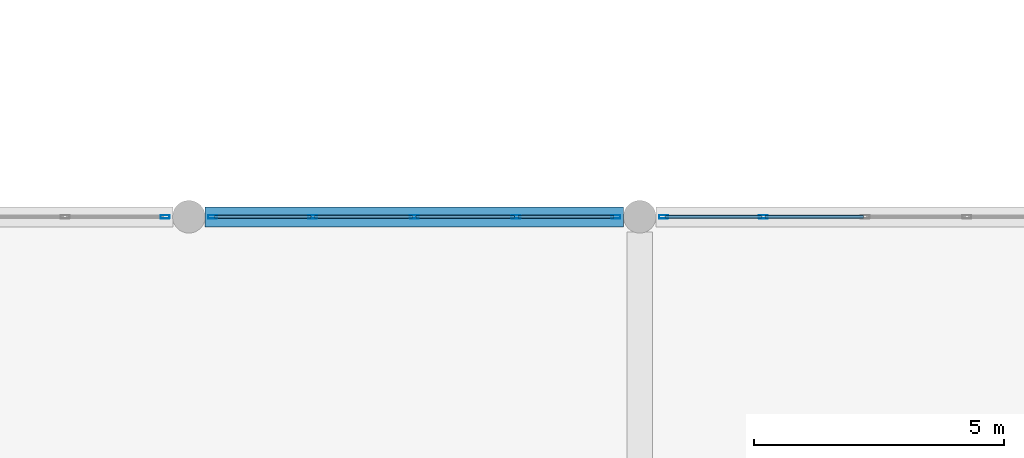
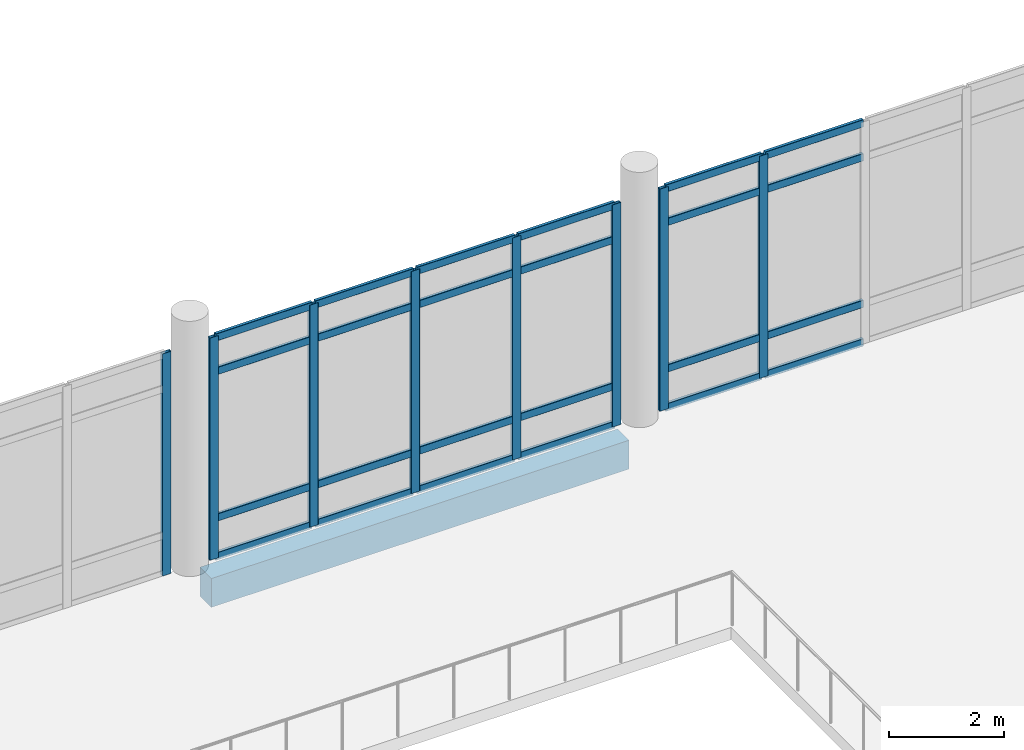
# One storey, part 44 of 180: 32 members, 1 beam, 3 elements without a shape of their own.
"""IFC4 building model written with IfcOpenShell, lengths in metres."""

from ifc_helpers import new_model, si_unit, direction, frame, origin, origin_2d, place, context, subcontext, project, spatial, rectangle, hollow_rectangle, extrude, material, material_profile, profile_set, type_object, element, aggregate, save


model = new_model("IFC4")

# Units and contexts
model_context = context("Model", 3, precision=1e-05, world=origin(), true_north=direction((0.0, 1.0)))
body_context = subcontext(model_context, "Body", "Model", "MODEL_VIEW")
ifc_project = project(units=[si_unit("LENGTHUNIT", "METRE"), si_unit("AREAUNIT", "SQUARE_METRE"), si_unit("VOLUMEUNIT", "CUBIC_METRE"), si_unit("PLANEANGLEUNIT", "RADIAN"), si_unit("MASSUNIT", "GRAM", prefix="KILO")], contexts=[model_context])

# Site, building, storey
site_placement = place(None, origin())
site = spatial("IfcSite", under=ifc_project, at=site_placement, CompositionType="ELEMENT")
building_placement = place(site_placement, origin())
building = spatial("IfcBuilding", under=site, at=building_placement, Name="Lusvemor Sports Hall", CompositionType="ELEMENT")
storey_placement = place(building_placement, frame((0.0, 0.0, 5.39990234375)))
storey = spatial("IfcBuildingStorey", under=building, at=storey_placement, Name="L01", CompositionType="ELEMENT", Elevation=5.39990234375)

# Curtain wall, member
ifc_material_1 = material(Name="Thermally broken bronze-anodized aluminium", Category="aluminium")
curtain_wall_type = type_object("IfcCurtainWallType", Name="CW_FOYER_A", PredefinedType="NOTDEFINED", material=ifc_material_1)
curtain_wall_1_placement = place(storey_placement, origin())
curtain_wall_1 = element("IfcCurtainWall", 1, at=curtain_wall_1_placement, inside=storey, type_object=curtain_wall_type, Name="Curtain Wall CW-V4N-L01-1", PredefinedType="NOTDEFINED")
ifc_material_2 = material(Name="Thermally broken bronze-anodized aluminium", Category="aluminium")
ifc_material_profile_1 = material_profile(ifc_material_2, hollow_rectangle(XDim=0.070068359375, YDim=0.179931640625, WallThickness=0.0048828125, InnerFilletRadius=0.0048828125, OuterFilletRadius=0.010009765625, at=origin_2d()), Name="CWMUL180x70x5")
ifc_profile_set_1 = profile_set([ifc_material_profile_1], Name="Thermally broken bronze-anodized aluminium")
member_type_1 = type_object("IfcMemberType", Name="CW_MUL_A", PredefinedType="MULLION", material=ifc_profile_set_1)
member_1_placement = place(storey_placement, frame((93.125, 28.800048828125, 0.0), z_axis=(0.0, 0.0, 1.0), x_axis=(0.0, 1.0, 0.0)))
member_1 = element("IfcMember", 2, at=member_1_placement, type_object=member_type_1, Name="CW01 mullion 5", PredefinedType="MULLION", context=body_context, shape_type="SweptSolid", body=[
    extrude(hollow_rectangle(XDim=0.070068359375, YDim=0.179931640625, WallThickness=0.0048828125, InnerFilletRadius=0.0048828125, OuterFilletRadius=0.010009765625, at=origin_2d()), origin(), (0.0, 0.0, 1.0), 4.7001953125),
])
aggregate(curtain_wall_1, [member_1])

# Curtain wall, members
curtain_wall_2_placement = place(storey_placement, origin())
curtain_wall_2 = element("IfcCurtainWall", 3, at=curtain_wall_2_placement, inside=storey, type_object=curtain_wall_type, Name="Curtain Wall CW-V4N-L01-2", PredefinedType="NOTDEFINED")
member_2_placement = place(storey_placement, frame((94.074951171875, 28.800048828125, 0.0), z_axis=(0.0, 0.0, 1.0), x_axis=(0.0, 1.0, 0.0)))
member_2 = element("IfcMember", 4, at=member_2_placement, type_object=member_type_1, Name="CW01 mullion 1", PredefinedType="MULLION", context=body_context, shape_type="SweptSolid", body=[
    extrude(hollow_rectangle(XDim=0.070068359375, YDim=0.179931640625, WallThickness=0.0048828125, InnerFilletRadius=0.0048828125, OuterFilletRadius=0.010009765625, at=origin_2d()), origin(), (0.0, 0.0, 1.0), 4.7001953125),
])
member_3_placement = place(storey_placement, frame((96.070068359375, 28.800048828125, 0.0), z_axis=(0.0, 0.0, 1.0), x_axis=(0.0, 1.0, 0.0)))
member_3 = element("IfcMember", 5, at=member_3_placement, type_object=member_type_1, Name="CW01 mullion 2", PredefinedType="MULLION", context=body_context, shape_type="SweptSolid", body=[
    extrude(hollow_rectangle(XDim=0.070068359375, YDim=0.179931640625, WallThickness=0.0048828125, InnerFilletRadius=0.0048828125, OuterFilletRadius=0.010009765625, at=origin_2d()), origin(), (0.0, 0.0, 1.0), 4.7001953125),
])
member_4_placement = place(storey_placement, frame((98.10009765625, 28.800048828125, 0.0), z_axis=(0.0, 0.0, 1.0), x_axis=(0.0, 1.0, 0.0)))
member_4 = element("IfcMember", 6, at=member_4_placement, type_object=member_type_1, Name="CW01 mullion 3", PredefinedType="MULLION", context=body_context, shape_type="SweptSolid", body=[
    extrude(hollow_rectangle(XDim=0.070068359375, YDim=0.179931640625, WallThickness=0.0048828125, InnerFilletRadius=0.0048828125, OuterFilletRadius=0.010009765625, at=origin_2d()), origin(), (0.0, 0.0, 1.0), 4.7001953125),
])
member_5_placement = place(storey_placement, frame((100.1298828125, 28.800048828125, 0.0), z_axis=(0.0, 0.0, 1.0), x_axis=(0.0, 1.0, 0.0)))
member_5 = element("IfcMember", 7, at=member_5_placement, type_object=member_type_1, Name="CW01 mullion 4", PredefinedType="MULLION", context=body_context, shape_type="SweptSolid", body=[
    extrude(hollow_rectangle(XDim=0.070068359375, YDim=0.179931640625, WallThickness=0.0048828125, InnerFilletRadius=0.0048828125, OuterFilletRadius=0.010009765625, at=origin_2d()), origin(), (0.0, 0.0, 1.0), 4.7001953125),
])
member_6_placement = place(storey_placement, frame((102.125, 28.800048828125, 0.0), z_axis=(0.0, 0.0, 1.0), x_axis=(0.0, 1.0, 0.0)))
member_6 = element("IfcMember", 8, at=member_6_placement, type_object=member_type_1, Name="CW01 mullion 5", PredefinedType="MULLION", context=body_context, shape_type="SweptSolid", body=[
    extrude(hollow_rectangle(XDim=0.070068359375, YDim=0.179931640625, WallThickness=0.0048828125, InnerFilletRadius=0.0048828125, OuterFilletRadius=0.010009765625, at=origin_2d()), origin(), (0.0, 0.0, 1.0), 4.7001953125),
])

curtain_wall_3_placement = place(storey_placement, origin())
curtain_wall_3 = element("IfcCurtainWall", 9, at=curtain_wall_3_placement, inside=storey, type_object=curtain_wall_type, Name="Curtain Wall CW-V4N-L01-3", PredefinedType="NOTDEFINED")
member_7_placement = place(storey_placement, frame((103.074951171875, 28.800048828125, 0.0), z_axis=(0.0, 0.0, 1.0), x_axis=(0.0, 1.0, 0.0)))
member_7 = element("IfcMember", 10, at=member_7_placement, type_object=member_type_1, Name="CW01 mullion 1", PredefinedType="MULLION", context=body_context, shape_type="SweptSolid", body=[
    extrude(hollow_rectangle(XDim=0.070068359375, YDim=0.179931640625, WallThickness=0.0048828125, InnerFilletRadius=0.0048828125, OuterFilletRadius=0.010009765625, at=origin_2d()), origin(), (0.0, 0.0, 1.0), 4.7001953125),
])
member_8_placement = place(storey_placement, frame((105.070068359375, 28.800048828125, 0.0), z_axis=(0.0, 0.0, 1.0), x_axis=(0.0, 1.0, 0.0)))
member_8 = element("IfcMember", 11, at=member_8_placement, type_object=member_type_1, Name="CW01 mullion 2", PredefinedType="MULLION", context=body_context, shape_type="SweptSolid", body=[
    extrude(hollow_rectangle(XDim=0.070068359375, YDim=0.179931640625, WallThickness=0.0048828125, InnerFilletRadius=0.0048828125, OuterFilletRadius=0.010009765625, at=origin_2d()), origin(), (0.0, 0.0, 1.0), 4.7001953125),
])

# Member
ifc_material_3 = material(Name="Thermally broken bronze-anodized aluminium", Category="aluminium")
ifc_material_profile_2 = material_profile(ifc_material_3, hollow_rectangle(XDim=0.06494140625, YDim=0.159912109375, WallThickness=0.00390625, InnerFilletRadius=0.00390625, OuterFilletRadius=0.008056640625, at=origin_2d()), Name="CWTRN160x65x4")
ifc_profile_set_2 = profile_set([ifc_material_profile_2], Name="Thermally broken bronze-anodized aluminium")
member_type_2 = type_object("IfcMemberType", Name="CW_TRN_A", PredefinedType="USERDEFINED", material=ifc_profile_set_2)
member_9_placement = place(storey_placement, frame((94.110107421875, 28.800048828125, 0.03271484375), z_axis=(1.0, 0.0, 0.0), x_axis=(0.0, 1.0, 0.0)))
member_9 = element("IfcMember", 12, at=member_9_placement, type_object=member_type_2, Name="CW01 transom 1.1", ObjectType="TRANSOM", PredefinedType="USERDEFINED", context=body_context, shape_type="SweptSolid", body=[
    extrude(hollow_rectangle(XDim=0.06494140625, YDim=0.159912109375, WallThickness=0.00390625, InnerFilletRadius=0.00390625, OuterFilletRadius=0.008056640625, at=origin_2d()), origin(), (0.0, 0.0, 1.0), 1.9248046875),
])

member_10_placement = place(storey_placement, frame((94.110107421875, 28.800048828125, 0.85009765625), z_axis=(1.0, 0.0, 0.0), x_axis=(0.0, 1.0, 0.0)))
member_10 = element("IfcMember", 13, at=member_10_placement, type_object=member_type_2, Name="CW01 transom 1.2", ObjectType="TRANSOM", PredefinedType="USERDEFINED", context=body_context, shape_type="SweptSolid", body=[
    extrude(hollow_rectangle(XDim=0.06494140625, YDim=0.159912109375, WallThickness=0.00390625, InnerFilletRadius=0.00390625, OuterFilletRadius=0.008056640625, at=origin_2d()), origin(), (0.0, 0.0, 1.0), 1.9248046875),
])

member_11_placement = place(storey_placement, frame((94.110107421875, 28.800048828125, 3.9501953125), z_axis=(1.0, 0.0, 0.0), x_axis=(0.0, 1.0, 0.0)))
member_11 = element("IfcMember", 14, at=member_11_placement, type_object=member_type_2, Name="CW01 transom 1.3", ObjectType="TRANSOM", PredefinedType="USERDEFINED", context=body_context, shape_type="SweptSolid", body=[
    extrude(hollow_rectangle(XDim=0.06494140625, YDim=0.159912109375, WallThickness=0.00390625, InnerFilletRadius=0.00390625, OuterFilletRadius=0.008056640625, at=origin_2d()), origin(), (0.0, 0.0, 1.0), 1.9248046875),
])

member_12_placement = place(storey_placement, frame((94.110107421875, 28.800048828125, 4.66748046875), z_axis=(1.0, 0.0, 0.0), x_axis=(0.0, 1.0, 0.0)))
member_12 = element("IfcMember", 15, at=member_12_placement, type_object=member_type_2, Name="CW01 transom 1.4", ObjectType="TRANSOM", PredefinedType="USERDEFINED", context=body_context, shape_type="SweptSolid", body=[
    extrude(hollow_rectangle(XDim=0.06494140625, YDim=0.159912109375, WallThickness=0.00390625, InnerFilletRadius=0.00390625, OuterFilletRadius=0.008056640625, at=origin_2d()), origin(), (0.0, 0.0, 1.0), 1.9248046875),
])

member_13_placement = place(storey_placement, frame((96.10498046875, 28.800048828125, 0.03271484375), z_axis=(1.0, 0.0, 0.0), x_axis=(0.0, 1.0, 0.0)))
member_13 = element("IfcMember", 16, at=member_13_placement, type_object=member_type_2, Name="CW01 transom 2.1", ObjectType="TRANSOM", PredefinedType="USERDEFINED", context=body_context, shape_type="SweptSolid", body=[
    extrude(hollow_rectangle(XDim=0.06494140625, YDim=0.159912109375, WallThickness=0.00390625, InnerFilletRadius=0.00390625, OuterFilletRadius=0.008056640625, at=origin_2d()), origin(), (0.0, 0.0, 1.0), 1.9599609375),
])

member_14_placement = place(storey_placement, frame((96.10498046875, 28.800048828125, 0.85009765625), z_axis=(1.0, 0.0, 0.0), x_axis=(0.0, 1.0, 0.0)))
member_14 = element("IfcMember", 17, at=member_14_placement, type_object=member_type_2, Name="CW01 transom 2.2", ObjectType="TRANSOM", PredefinedType="USERDEFINED", context=body_context, shape_type="SweptSolid", body=[
    extrude(hollow_rectangle(XDim=0.06494140625, YDim=0.159912109375, WallThickness=0.00390625, InnerFilletRadius=0.00390625, OuterFilletRadius=0.008056640625, at=origin_2d()), origin(), (0.0, 0.0, 1.0), 1.9599609375),
])

member_15_placement = place(storey_placement, frame((96.10498046875, 28.800048828125, 3.9501953125), z_axis=(1.0, 0.0, 0.0), x_axis=(0.0, 1.0, 0.0)))
member_15 = element("IfcMember", 18, at=member_15_placement, type_object=member_type_2, Name="CW01 transom 2.3", ObjectType="TRANSOM", PredefinedType="USERDEFINED", context=body_context, shape_type="SweptSolid", body=[
    extrude(hollow_rectangle(XDim=0.06494140625, YDim=0.159912109375, WallThickness=0.00390625, InnerFilletRadius=0.00390625, OuterFilletRadius=0.008056640625, at=origin_2d()), origin(), (0.0, 0.0, 1.0), 1.9599609375),
])

member_16_placement = place(storey_placement, frame((96.10498046875, 28.800048828125, 4.66748046875), z_axis=(1.0, 0.0, 0.0), x_axis=(0.0, 1.0, 0.0)))
member_16 = element("IfcMember", 19, at=member_16_placement, type_object=member_type_2, Name="CW01 transom 2.4", ObjectType="TRANSOM", PredefinedType="USERDEFINED", context=body_context, shape_type="SweptSolid", body=[
    extrude(hollow_rectangle(XDim=0.06494140625, YDim=0.159912109375, WallThickness=0.00390625, InnerFilletRadius=0.00390625, OuterFilletRadius=0.008056640625, at=origin_2d()), origin(), (0.0, 0.0, 1.0), 1.9599609375),
])

member_17_placement = place(storey_placement, frame((98.135009765625, 28.800048828125, 0.03271484375), z_axis=(1.0, 0.0, 0.0), x_axis=(0.0, 1.0, 0.0)))
member_17 = element("IfcMember", 20, at=member_17_placement, type_object=member_type_2, Name="CW01 transom 3.1", ObjectType="TRANSOM", PredefinedType="USERDEFINED", context=body_context, shape_type="SweptSolid", body=[
    extrude(hollow_rectangle(XDim=0.06494140625, YDim=0.159912109375, WallThickness=0.00390625, InnerFilletRadius=0.00390625, OuterFilletRadius=0.008056640625, at=origin_2d()), origin(), (0.0, 0.0, 1.0), 1.9599609375),
])

member_18_placement = place(storey_placement, frame((98.135009765625, 28.800048828125, 0.85009765625), z_axis=(1.0, 0.0, 0.0), x_axis=(0.0, 1.0, 0.0)))
member_18 = element("IfcMember", 21, at=member_18_placement, type_object=member_type_2, Name="CW01 transom 3.2", ObjectType="TRANSOM", PredefinedType="USERDEFINED", context=body_context, shape_type="SweptSolid", body=[
    extrude(hollow_rectangle(XDim=0.06494140625, YDim=0.159912109375, WallThickness=0.00390625, InnerFilletRadius=0.00390625, OuterFilletRadius=0.008056640625, at=origin_2d()), origin(), (0.0, 0.0, 1.0), 1.9599609375),
])

member_19_placement = place(storey_placement, frame((98.135009765625, 28.800048828125, 3.9501953125), z_axis=(1.0, 0.0, 0.0), x_axis=(0.0, 1.0, 0.0)))
member_19 = element("IfcMember", 22, at=member_19_placement, type_object=member_type_2, Name="CW01 transom 3.3", ObjectType="TRANSOM", PredefinedType="USERDEFINED", context=body_context, shape_type="SweptSolid", body=[
    extrude(hollow_rectangle(XDim=0.06494140625, YDim=0.159912109375, WallThickness=0.00390625, InnerFilletRadius=0.00390625, OuterFilletRadius=0.008056640625, at=origin_2d()), origin(), (0.0, 0.0, 1.0), 1.9599609375),
])

member_20_placement = place(storey_placement, frame((98.135009765625, 28.800048828125, 4.66748046875), z_axis=(1.0, 0.0, 0.0), x_axis=(0.0, 1.0, 0.0)))
member_20 = element("IfcMember", 23, at=member_20_placement, type_object=member_type_2, Name="CW01 transom 3.4", ObjectType="TRANSOM", PredefinedType="USERDEFINED", context=body_context, shape_type="SweptSolid", body=[
    extrude(hollow_rectangle(XDim=0.06494140625, YDim=0.159912109375, WallThickness=0.00390625, InnerFilletRadius=0.00390625, OuterFilletRadius=0.008056640625, at=origin_2d()), origin(), (0.0, 0.0, 1.0), 1.9599609375),
])

member_21_placement = place(storey_placement, frame((100.1650390625, 28.800048828125, 0.03271484375), z_axis=(1.0, 0.0, 0.0), x_axis=(0.0, 1.0, 0.0)))
member_21 = element("IfcMember", 24, at=member_21_placement, type_object=member_type_2, Name="CW01 transom 4.1", ObjectType="TRANSOM", PredefinedType="USERDEFINED", context=body_context, shape_type="SweptSolid", body=[
    extrude(hollow_rectangle(XDim=0.06494140625, YDim=0.159912109375, WallThickness=0.00390625, InnerFilletRadius=0.00390625, OuterFilletRadius=0.008056640625, at=origin_2d()), origin(), (0.0, 0.0, 1.0), 1.925048828125),
])

member_22_placement = place(storey_placement, frame((100.1650390625, 28.800048828125, 0.85009765625), z_axis=(1.0, 0.0, 0.0), x_axis=(0.0, 1.0, 0.0)))
member_22 = element("IfcMember", 25, at=member_22_placement, type_object=member_type_2, Name="CW01 transom 4.2", ObjectType="TRANSOM", PredefinedType="USERDEFINED", context=body_context, shape_type="SweptSolid", body=[
    extrude(hollow_rectangle(XDim=0.06494140625, YDim=0.159912109375, WallThickness=0.00390625, InnerFilletRadius=0.00390625, OuterFilletRadius=0.008056640625, at=origin_2d()), origin(), (0.0, 0.0, 1.0), 1.925048828125),
])

member_23_placement = place(storey_placement, frame((100.1650390625, 28.800048828125, 3.9501953125), z_axis=(1.0, 0.0, 0.0), x_axis=(0.0, 1.0, 0.0)))
member_23 = element("IfcMember", 26, at=member_23_placement, type_object=member_type_2, Name="CW01 transom 4.3", ObjectType="TRANSOM", PredefinedType="USERDEFINED", context=body_context, shape_type="SweptSolid", body=[
    extrude(hollow_rectangle(XDim=0.06494140625, YDim=0.159912109375, WallThickness=0.00390625, InnerFilletRadius=0.00390625, OuterFilletRadius=0.008056640625, at=origin_2d()), origin(), (0.0, 0.0, 1.0), 1.925048828125),
])

member_24_placement = place(storey_placement, frame((100.1650390625, 28.800048828125, 4.66748046875), z_axis=(1.0, 0.0, 0.0), x_axis=(0.0, 1.0, 0.0)))
member_24 = element("IfcMember", 27, at=member_24_placement, type_object=member_type_2, Name="CW01 transom 4.4", ObjectType="TRANSOM", PredefinedType="USERDEFINED", context=body_context, shape_type="SweptSolid", body=[
    extrude(hollow_rectangle(XDim=0.06494140625, YDim=0.159912109375, WallThickness=0.00390625, InnerFilletRadius=0.00390625, OuterFilletRadius=0.008056640625, at=origin_2d()), origin(), (0.0, 0.0, 1.0), 1.925048828125),
])

aggregate(curtain_wall_2, [member_2, member_3, member_4, member_5, member_6, member_9, member_10, member_11, member_12, member_13, member_14, member_15, member_16, member_17, member_18, member_19, member_20, member_21, member_22, member_23, member_24])

member_25_placement = place(storey_placement, frame((103.110107421875, 28.800048828125, 0.03271484375), z_axis=(1.0, 0.0, 0.0), x_axis=(0.0, 1.0, 0.0)))
member_25 = element("IfcMember", 28, at=member_25_placement, type_object=member_type_2, Name="CW01 transom 1.1", ObjectType="TRANSOM", PredefinedType="USERDEFINED", context=body_context, shape_type="SweptSolid", body=[
    extrude(hollow_rectangle(XDim=0.06494140625, YDim=0.159912109375, WallThickness=0.00390625, InnerFilletRadius=0.00390625, OuterFilletRadius=0.008056640625, at=origin_2d()), origin(), (0.0, 0.0, 1.0), 1.9248046875),
])

member_26_placement = place(storey_placement, frame((103.110107421875, 28.800048828125, 0.85009765625), z_axis=(1.0, 0.0, 0.0), x_axis=(0.0, 1.0, 0.0)))
member_26 = element("IfcMember", 29, at=member_26_placement, type_object=member_type_2, Name="CW01 transom 1.2", ObjectType="TRANSOM", PredefinedType="USERDEFINED", context=body_context, shape_type="SweptSolid", body=[
    extrude(hollow_rectangle(XDim=0.06494140625, YDim=0.159912109375, WallThickness=0.00390625, InnerFilletRadius=0.00390625, OuterFilletRadius=0.008056640625, at=origin_2d()), origin(), (0.0, 0.0, 1.0), 1.9248046875),
])

member_27_placement = place(storey_placement, frame((103.110107421875, 28.800048828125, 3.9501953125), z_axis=(1.0, 0.0, 0.0), x_axis=(0.0, 1.0, 0.0)))
member_27 = element("IfcMember", 30, at=member_27_placement, type_object=member_type_2, Name="CW01 transom 1.3", ObjectType="TRANSOM", PredefinedType="USERDEFINED", context=body_context, shape_type="SweptSolid", body=[
    extrude(hollow_rectangle(XDim=0.06494140625, YDim=0.159912109375, WallThickness=0.00390625, InnerFilletRadius=0.00390625, OuterFilletRadius=0.008056640625, at=origin_2d()), origin(), (0.0, 0.0, 1.0), 1.9248046875),
])

member_28_placement = place(storey_placement, frame((103.110107421875, 28.800048828125, 4.66748046875), z_axis=(1.0, 0.0, 0.0), x_axis=(0.0, 1.0, 0.0)))
member_28 = element("IfcMember", 31, at=member_28_placement, type_object=member_type_2, Name="CW01 transom 1.4", ObjectType="TRANSOM", PredefinedType="USERDEFINED", context=body_context, shape_type="SweptSolid", body=[
    extrude(hollow_rectangle(XDim=0.06494140625, YDim=0.159912109375, WallThickness=0.00390625, InnerFilletRadius=0.00390625, OuterFilletRadius=0.008056640625, at=origin_2d()), origin(), (0.0, 0.0, 1.0), 1.9248046875),
])

member_29_placement = place(storey_placement, frame((105.10498046875, 28.800048828125, 0.03271484375), z_axis=(1.0, 0.0, 0.0), x_axis=(0.0, 1.0, 0.0)))
member_29 = element("IfcMember", 32, at=member_29_placement, type_object=member_type_2, Name="CW01 transom 2.1", ObjectType="TRANSOM", PredefinedType="USERDEFINED", context=body_context, shape_type="SweptSolid", body=[
    extrude(hollow_rectangle(XDim=0.06494140625, YDim=0.159912109375, WallThickness=0.00390625, InnerFilletRadius=0.00390625, OuterFilletRadius=0.008056640625, at=origin_2d()), origin(), (0.0, 0.0, 1.0), 1.9599609375),
])

member_30_placement = place(storey_placement, frame((105.10498046875, 28.800048828125, 0.85009765625), z_axis=(1.0, 0.0, 0.0), x_axis=(0.0, 1.0, 0.0)))
member_30 = element("IfcMember", 33, at=member_30_placement, type_object=member_type_2, Name="CW01 transom 2.2", ObjectType="TRANSOM", PredefinedType="USERDEFINED", context=body_context, shape_type="SweptSolid", body=[
    extrude(hollow_rectangle(XDim=0.06494140625, YDim=0.159912109375, WallThickness=0.00390625, InnerFilletRadius=0.00390625, OuterFilletRadius=0.008056640625, at=origin_2d()), origin(), (0.0, 0.0, 1.0), 1.9599609375),
])

member_31_placement = place(storey_placement, frame((105.10498046875, 28.800048828125, 3.9501953125), z_axis=(1.0, 0.0, 0.0), x_axis=(0.0, 1.0, 0.0)))
member_31 = element("IfcMember", 34, at=member_31_placement, type_object=member_type_2, Name="CW01 transom 2.3", ObjectType="TRANSOM", PredefinedType="USERDEFINED", context=body_context, shape_type="SweptSolid", body=[
    extrude(hollow_rectangle(XDim=0.06494140625, YDim=0.159912109375, WallThickness=0.00390625, InnerFilletRadius=0.00390625, OuterFilletRadius=0.008056640625, at=origin_2d()), origin(), (0.0, 0.0, 1.0), 1.9599609375),
])

member_32_placement = place(storey_placement, frame((105.10498046875, 28.800048828125, 4.66748046875), z_axis=(1.0, 0.0, 0.0), x_axis=(0.0, 1.0, 0.0)))
member_32 = element("IfcMember", 35, at=member_32_placement, type_object=member_type_2, Name="CW01 transom 2.4", ObjectType="TRANSOM", PredefinedType="USERDEFINED", context=body_context, shape_type="SweptSolid", body=[
    extrude(hollow_rectangle(XDim=0.06494140625, YDim=0.159912109375, WallThickness=0.00390625, InnerFilletRadius=0.00390625, OuterFilletRadius=0.008056640625, at=origin_2d()), origin(), (0.0, 0.0, 1.0), 1.9599609375),
])

aggregate(curtain_wall_3, [member_7, member_8, member_25, member_26, member_27, member_28, member_29, member_30, member_31, member_32])

# Beam
ifc_material_4 = material(Name="Concrete C40/50", Category="concrete")
ifc_material_profile_3 = material_profile(ifc_material_4, rectangle(XDim=0.39990234375, YDim=0.610107421875, at=origin_2d()), Name="RC400x610")
ifc_profile_set_3 = profile_set([ifc_material_profile_3], Name="Concrete C40/50")
beam_type = type_object("IfcBeamType", Name="SPAND_EXT_650", PredefinedType="SPANDREL", material=ifc_profile_set_3)
beam_placement = place(storey_placement, frame((93.9208984375, 28.800048828125, -0.56494140625), z_axis=(1.0, 0.0, 0.0), x_axis=(0.0, 1.0, 0.0)))
element("IfcBeam", 36, at=beam_placement, inside=storey, type_object=beam_type, Name="Beam L01 D:10-11", PredefinedType="SPANDREL", context=body_context, shape_type="SweptSolid", body=[
    extrude(rectangle(XDim=0.39990234375, YDim=0.610107421875, at=origin_2d()), origin(), (0.0, 0.0, 1.0), 8.358154296875),
])

save(model, "model.ifc")
